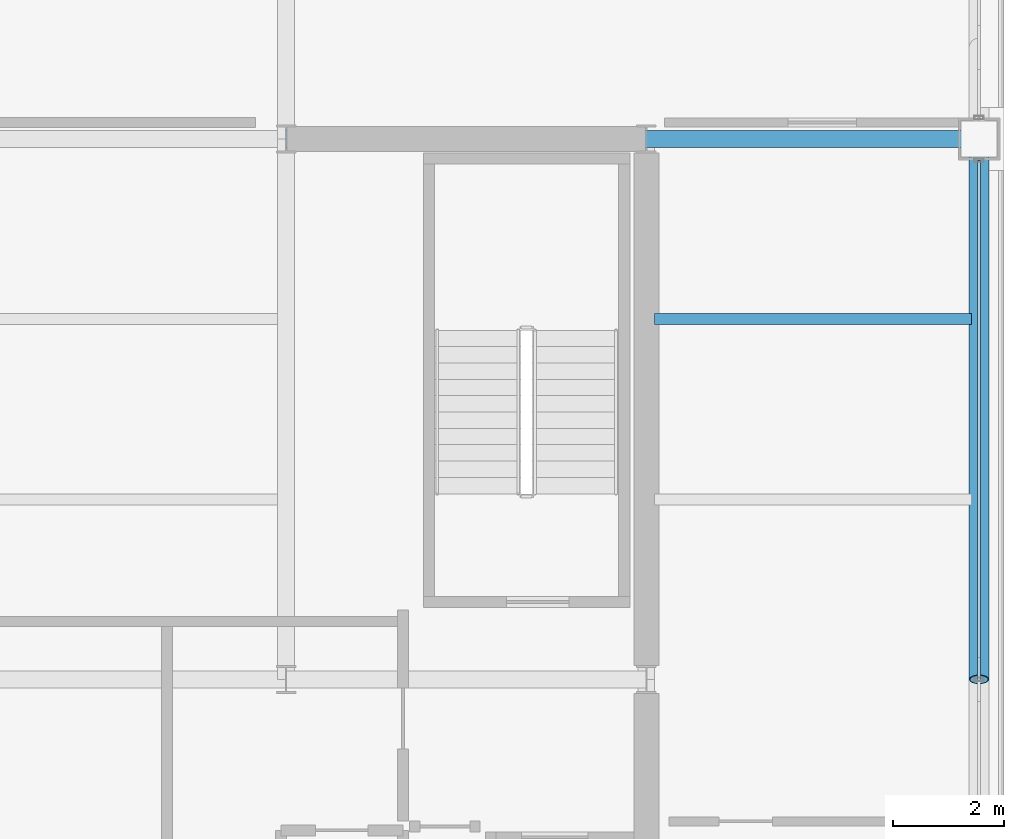
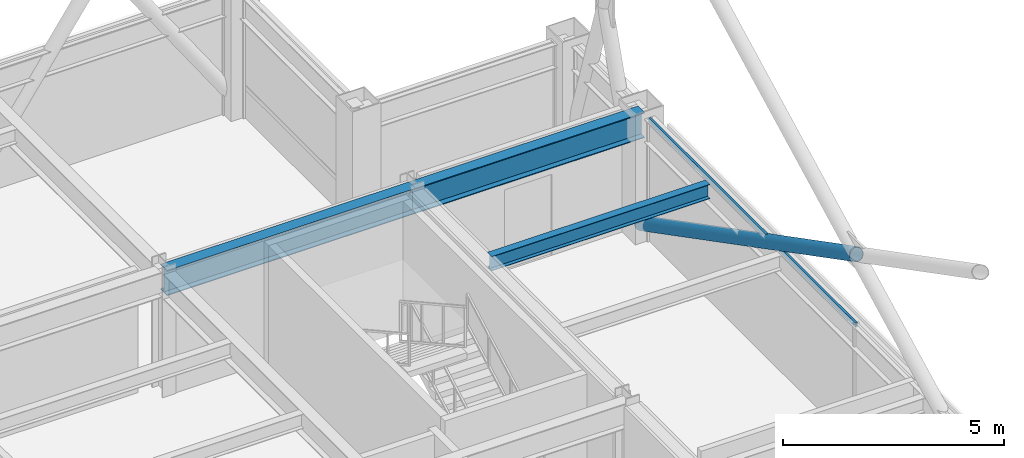
# One storey, part 18 of 32: 3 beams, 2 members, 1 element without a shape of its own.
"""IFC4 building model written with IfcOpenShell, lengths in metres."""

import ifcopenshell
import ifcopenshell.guid

model = None  # the IFC model being written
_history = None  # IfcOwnerHistory: only IFC2X3 demands one
_inside = {}  # id of a spatial element -> (the spatial element, [elements in it])
_under = {}  # id of a project, library or spatial element -> (it, [spatial elements below it])
_declared = {}  # id of a project -> (the project, [libraries it declares])
_typed = {}  # id of a type object -> (the type object, [elements of that type])
_made_of = {}  # id of a material, layer set ... -> (it, [elements and type objects made of it])


def new_model(schema):
    """Start an empty IFC model of exactly this schema.

    Asked for "IFC4X3", IfcOpenShell would pick the latest addendum, in which some entities
    have other attributes; the version numbers below select the first issue.
    IFC2X3 requires an IfcOwnerHistory on every rooted entity: one is made here for all.
    """
    global model, _history
    if schema == "IFC4X3":
        model = ifcopenshell.file(schema_version=(4, 3, 0, 0))
    else:
        model = ifcopenshell.file(schema=schema)
    _inside.clear()
    _under.clear()
    _declared.clear()
    _typed.clear()
    _made_of.clear()
    _history = None
    if model.schema == "IFC2X3":
        org = make("IfcOrganization", Name="unknown")
        user = make(
            "IfcPersonAndOrganization",
            ThePerson=make("IfcPerson", FamilyName="unknown"),
            TheOrganization=org,
        )
        app = make(
            "IfcApplication",
            ApplicationDeveloper=org,
            Version="unknown",
            ApplicationFullName="unknown",
            ApplicationIdentifier="unknown",
        )
        _history = make(
            "IfcOwnerHistory",
            OwningUser=user,
            OwningApplication=app,
            ChangeAction="ADDED",
            CreationDate=0,
        )
    return model


def make(cls, **values):
    """One entity of the class cls with the attributes given. An attribute that is None is left unset."""
    return model.create_entity(
        cls, **{name: value for name, value in values.items() if value is not None}
    )


def rooted(cls, **values):
    """An entity with a GlobalId (a new one), such as an element, a storey or a relation."""
    return make(cls, GlobalId=ifcopenshell.guid.new(), OwnerHistory=_history, **values)


def si_unit(unit_type, name, prefix=None):
    """IfcSIUnit, for example si_unit("LENGTHUNIT", "METRE", prefix="MILLI")."""
    return make("IfcSIUnit", UnitType=unit_type, Prefix=prefix, Name=name)


def assignment(units):
    """IfcUnitAssignment: the units of a project."""
    return None if units is None else make("IfcUnitAssignment", Units=units)


def point(xyz):
    """IfcCartesianPoint."""
    return None if xyz is None else make("IfcCartesianPoint", Coordinates=xyz)


def direction(xyz):
    """IfcDirection."""
    return None if xyz is None else make("IfcDirection", DirectionRatios=xyz)


def frame(location, z_axis=None, x_axis=None):
    """IfcAxis2Placement3D, a coordinate frame: its origin and axes. An axis left out is left unset."""
    return make(
        "IfcAxis2Placement3D",
        Location=point(location),
        Axis=direction(z_axis),
        RefDirection=direction(x_axis),
    )


def frame_2d(location, x_axis=None):
    """IfcAxis2Placement2D, a coordinate frame in the plane: its origin and x axis."""
    return make(
        "IfcAxis2Placement2D", Location=point(location), RefDirection=direction(x_axis)
    )


def origin():
    """The frame at (0, 0, 0) with its axes left unset."""
    return frame((0.0, 0.0, 0.0))


def origin_2d():
    """The frame at (0, 0) in the plane with its x axis left unset."""
    return frame_2d((0.0, 0.0))


def place(relative_to, where):
    """IfcLocalPlacement: puts the frame where relative to a parent placement (None: the world)."""
    return make(
        "IfcLocalPlacement", PlacementRelTo=relative_to, RelativePlacement=where
    )


def context(
    kind, dimensions, precision=None, world=None, true_north=None, identifier=None
):
    """IfcGeometricRepresentationContext, for example the 3D "Model" context."""
    return make(
        "IfcGeometricRepresentationContext",
        ContextIdentifier=identifier,
        ContextType=kind,
        CoordinateSpaceDimension=dimensions,
        Precision=precision,
        WorldCoordinateSystem=world,
        TrueNorth=true_north,
    )


def subcontext(parent, identifier, kind, view, scale=None):
    """IfcGeometricRepresentationSubContext, for example "Body" below "Model"."""
    return make(
        "IfcGeometricRepresentationSubContext",
        ContextIdentifier=identifier,
        ContextType=kind,
        ParentContext=parent,
        TargetScale=scale,
        TargetView=view,
    )


def project(units=None, contexts=None):
    """IfcProject with its units and contexts."""
    return rooted(
        "IfcProject",
        Name="project",
        RepresentationContexts=contexts,
        UnitsInContext=assignment(units),
    )


def spatial(cls, under=None, at=None, **own):
    """A site, building, storey or space (cls), placed at a placement, below another one or the project."""
    s = rooted(cls, ObjectPlacement=at, **own)
    if under is not None:
        _under.setdefault(under.id(), (under, []))[1].append(s)
    return s


def profile(cls, at=None, kind="AREA", **sizes):
    """A parametric profile (cls). Its sizes go by their IFC names, for example OverallWidth=200.0."""
    return make(cls, ProfileType=kind, Position=at, **sizes)


def hollow_rectangle(**sizes):
    """IfcRectangleHollowProfileDef."""
    return profile("IfcRectangleHollowProfileDef", **sizes)


def hollow_circle(**sizes):
    """IfcCircleHollowProfileDef."""
    return profile("IfcCircleHollowProfileDef", **sizes)


def i_section(**sizes):
    """IfcIShapeProfileDef."""
    return profile("IfcIShapeProfileDef", **sizes)


def extrude(swept, where, along, depth):
    """IfcExtrudedAreaSolid: the profile swept, set in the frame where, extruded along a direction by depth."""
    return make(
        "IfcExtrudedAreaSolid",
        SweptArea=swept,
        Position=where,
        ExtrudedDirection=direction(along),
        Depth=depth,
    )


def shape(context_of_items, identifier, shape_type, items):
    """IfcShapeRepresentation: the items that make up one representation, for example the "Body"."""
    return make(
        "IfcShapeRepresentation",
        ContextOfItems=context_of_items,
        RepresentationIdentifier=identifier,
        RepresentationType=shape_type,
        Items=items,
    )


def material(Name=None, Category=None):
    """IfcMaterial."""
    return make("IfcMaterial", Name=Name, Category=Category)


def layer(
    of_material, thickness, ventilated=None, Name=None, Category=None, Priority=None
):
    """IfcMaterialLayer: one layer of a wall or slab, of a material (None: an air gap)."""
    return make(
        "IfcMaterialLayer",
        Material=of_material,
        LayerThickness=thickness,
        IsVentilated=ventilated,
        Name=Name,
        Category=Category,
        Priority=Priority,
    )


def layer_set(layers, Name=None):
    """IfcMaterialLayerSet."""
    return make("IfcMaterialLayerSet", MaterialLayers=layers, LayerSetName=Name)


def material_profile(
    of_material, cross_section, Name=None, Category=None, Priority=None
):
    """IfcMaterialProfile: a cross section and its material."""
    return make(
        "IfcMaterialProfile",
        Name=Name,
        Material=of_material,
        Profile=cross_section,
        Priority=Priority,
        Category=Category,
    )


def profile_set(profiles, Name=None, composite=None):
    """IfcMaterialProfileSet."""
    return make(
        "IfcMaterialProfileSet",
        Name=Name,
        MaterialProfiles=profiles,
        CompositeProfile=composite,
    )


def made_of(thing, what):
    """Note that an element or type object is made of a material, layer set ...; save() writes the relation."""
    if what is not None:
        _made_of.setdefault(what.id(), (what, []))[1].append(thing)
    return thing


def type_object(cls, material=None, **own):
    """A type object (cls), such as IfcWallType, which elements share."""
    return made_of(rooted(cls, **own), material)


def element(
    cls,
    number,
    at=None,
    inside=None,
    cuts=None,
    type_object=None,
    material=None,
    context=None,
    identifier="Body",
    shape_type=None,
    held_by="IfcProductDefinitionShape",
    body=None,
    shapes=None,
    **own,
):
    """One element of the class cls, such as IfcWall. Its Tag is "e" and its number.

    at: its placement. inside: the storey or other place that contains it. cuts: it is an
    opening in that element (IfcRelVoidsElement). A single representation is given by context,
    identifier, shape_type and body (its items); several are given by shapes. held_by: the class
    of the entity that holds the representations. save() writes the other relations.
    """
    e = rooted(cls, Tag="e%d" % number, ObjectPlacement=at, **own)
    if body is not None:
        shapes = [shape(context, identifier, shape_type, body)]
    if shapes is not None:
        e.Representation = make(held_by, Representations=shapes)
    if inside is not None:
        _inside.setdefault(inside.id(), (inside, []))[1].append(e)
    if cuts is not None:
        rooted(
            "IfcRelVoidsElement", RelatingBuildingElement=cuts, RelatedOpeningElement=e
        )
    if type_object is not None:
        _typed.setdefault(type_object.id(), (type_object, []))[1].append(e)
    return made_of(e, material)


def aggregate(whole, parts):
    """IfcRelAggregates: a whole, such as a stair, and the parts it consists of."""
    return rooted("IfcRelAggregates", RelatingObject=whole, RelatedObjects=parts)


def save(model, path):
    """Write the relations noted so far, then the file.

    IfcRelAggregates (storeys below a building ...), IfcRelContainedInSpatialStructure (elements
    in a storey), IfcRelDefinesByType, IfcRelAssociatesMaterial and IfcRelDeclares: one each for
    every whole, place, type object, material and project.
    """
    for whole, parts in _under.values():
        aggregate(whole, parts)
    for where, things in _inside.values():
        rooted(
            "IfcRelContainedInSpatialStructure",
            RelatedElements=things,
            RelatingStructure=where,
        )
    for kind, things in _typed.values():
        rooted("IfcRelDefinesByType", RelatedObjects=things, RelatingType=kind)
    for what, things in _made_of.values():
        rooted("IfcRelAssociatesMaterial", RelatedObjects=things, RelatingMaterial=what)
    for by, libraries in _declared.values():
        rooted("IfcRelDeclares", RelatingContext=by, RelatedDefinitions=libraries)
    model.write(path)


model = new_model("IFC4")

# Units and contexts
model_context = context("Model", 3, precision=1e-05, world=origin(), true_north=direction((0.0, 1.0)))
body_context = subcontext(model_context, "Body", "Model", "MODEL_VIEW")
ifc_project = project(units=[si_unit("LENGTHUNIT", "METRE"), si_unit("AREAUNIT", "SQUARE_METRE"), si_unit("VOLUMEUNIT", "CUBIC_METRE"), si_unit("PLANEANGLEUNIT", "RADIAN"), si_unit("MASSUNIT", "GRAM", prefix="KILO")], contexts=[model_context])

# Site, building, storey
site_placement = place(None, origin())
site = spatial("IfcSite", under=ifc_project, at=site_placement, CompositionType="ELEMENT")
building_placement = place(site_placement, origin())
building = spatial("IfcBuilding", under=site, at=building_placement, Name="Brelmoor Portico Tower", CompositionType="ELEMENT")
storey_placement = place(building_placement, frame((0.0, 0.0, 162.300048828125)))
storey = spatial("IfcBuildingStorey", under=building, at=storey_placement, Name="L42", CompositionType="ELEMENT", Elevation=162.300048828125)

# Beams
ifc_material_1 = material(Name="Steel Q355B", Category="steel")
ifc_material_profile_1 = material_profile(ifc_material_1, i_section(OverallWidth=0.199951171875, OverallDepth=0.39990234375, WebThickness=0.008056640625, FlangeThickness=0.012939453125, at=origin_2d()), Name="HN 400x200x8x13")
ifc_profile_set_1 = profile_set([ifc_material_profile_1], Name="Steel Q355B")
beam_type_1 = type_object("IfcBeamType", Name="BM-JS-400", PredefinedType="JOIST", material=ifc_profile_set_1)
beam_1_placement = place(storey_placement, frame((14.699951171875, 6.5, 3.199951171875), z_axis=(1.0, 0.0, 0.0), x_axis=(0.0, 1.0, 0.0)))
element("IfcBeam", 1, at=beam_1_placement, inside=storey, type_object=beam_type_1, Name="L42 Secondary Wing Joist JS-E12", PredefinedType="JOIST", context=body_context, shape_type="SweptSolid", body=[
    extrude(i_section(OverallWidth=0.199951171875, OverallDepth=0.39990234375, WebThickness=0.008056640625, FlangeThickness=0.012939453125, at=origin_2d()), origin(), (0.0, 0.0, 1.0), 5.7099609375),
])
ifc_material_profile_2 = material_profile(ifc_material_1, i_section(OverallWidth=0.300048828125, OverallDepth=0.699951171875, WebThickness=0.012939453125, FlangeThickness=0.02392578125, at=origin_2d()), Name="HN 700x300x13x24")
ifc_profile_set_2 = profile_set([ifc_material_profile_2], Name="Steel Q355B")
beam_type_2 = type_object("IfcBeamType", Name="BM-PG-700", PredefinedType="BEAM", material=ifc_profile_set_2)
beam_2_placement = place(storey_placement, frame((8.050048828125, 9.75, 3.050048828125), z_axis=(1.0, 0.0, 0.0), x_axis=(0.0, 1.0, 0.0)))
element("IfcBeam", 2, at=beam_2_placement, inside=storey, type_object=beam_type_2, Name="L42 Primary Floor Girder PG-22", PredefinedType="BEAM", context=body_context, shape_type="SweptSolid", body=[
    extrude(i_section(OverallWidth=0.300048828125, OverallDepth=0.699951171875, WebThickness=0.012939453125, FlangeThickness=0.02392578125, at=origin_2d()), origin(), (0.0, 0.0, 1.0), 6.5),
])
beam_3_placement = place(storey_placement, frame((14.550048828125, 9.75, 3.050048828125), z_axis=(1.0, 0.0, 0.0), x_axis=(0.0, 1.0, 0.0)))
element("IfcBeam", 3, at=beam_3_placement, inside=storey, type_object=beam_type_2, Name="L42 Primary Floor Girder PG-23", PredefinedType="BEAM", context=body_context, shape_type="SweptSolid", body=[
    extrude(i_section(OverallWidth=0.300048828125, OverallDepth=0.699951171875, WebThickness=0.012939453125, FlangeThickness=0.02392578125, at=origin_2d()), origin(), (0.0, 0.0, 1.0), 6.0),
])

# Member
ifc_material_profile_3 = material_profile(ifc_material_1, hollow_circle(Radius=0.177978515625, WallThickness=0.01611328125, at=origin_2d()), Name="CHS 356x16")
ifc_profile_set_3 = profile_set([ifc_material_profile_3], Name="Steel Q355B")
member_type_1 = type_object("IfcMemberType", Name="MB-BELT-DIAG2", PredefinedType="BRACE", material=ifc_profile_set_3)
member_1_placement = place(storey_placement, frame((20.550048828125, 9.75, 0.25), z_axis=(0.0, -0.887959386012, 0.459921872488), x_axis=(1.0, 0.0, 0.0)))
element("IfcMember", 4, at=member_1_placement, inside=storey, type_object=member_type_1, Name="L42 Split Mega-X Brace 096B1", PredefinedType="BRACE", context=body_context, shape_type="SweptSolid", body=[
    extrude(hollow_circle(Radius=0.177978515625, WallThickness=0.01611328125, at=origin_2d()), origin(), (0.0, 0.0, 1.0), 10.980224609375),
])

# Curtain wall, member
ifc_material_2 = material(Name="Anodised Aluminium Alloy 6063-T6", Category="aluminium")
ifc_layer = layer(ifc_material_2, 0.179931640625)
ifc_layer_set = layer_set([ifc_layer], Name="Anodised Aluminium Alloy 6063-T6")
curtain_wall_type = type_object("IfcCurtainWallType", Name="CW-TOWER-Z3-XB", PredefinedType="NOTDEFINED", material=ifc_layer_set)
curtain_wall_placement = place(storey_placement, origin())
curtain_wall = element("IfcCurtainWall", 5, at=curtain_wall_placement, inside=storey, type_object=curtain_wall_type, Name="L42 Curtain Wall CW-L42-04-2", PredefinedType="NOTDEFINED")
ifc_material_profile_4 = material_profile(ifc_material_2, hollow_rectangle(XDim=0.06005859375, YDim=0.125, WallThickness=0.00341796875, at=origin_2d()), Name="ALU TRANSOM 60x125")
ifc_profile_set_4 = profile_set([ifc_material_profile_4], Name="Anodised Aluminium Alloy 6063-T6")
member_type_2 = type_object("IfcMemberType", Name="MB-CW-TRAN-125", PredefinedType="USERDEFINED", material=ifc_profile_set_4)
member_2_placement = place(storey_placement, frame((20.550048828125, 0.0, 3.33740234375), z_axis=(0.0, 1.0, 0.0), x_axis=(-1.0, 0.0, 0.0)))
member_2 = element("IfcMember", 6, at=member_2_placement, type_object=member_type_2, Name="CW-L42-04-2 Transom 1-01", ObjectType="TRANSOM", PredefinedType="USERDEFINED", context=body_context, shape_type="SweptSolid", body=[
    extrude(hollow_rectangle(XDim=0.06005859375, YDim=0.125, WallThickness=0.00341796875, at=origin_2d()), origin(), (0.0, 0.0, 1.0), 9.364990234375),
])
aggregate(curtain_wall, [member_2])

save(model, "model.ifc")
